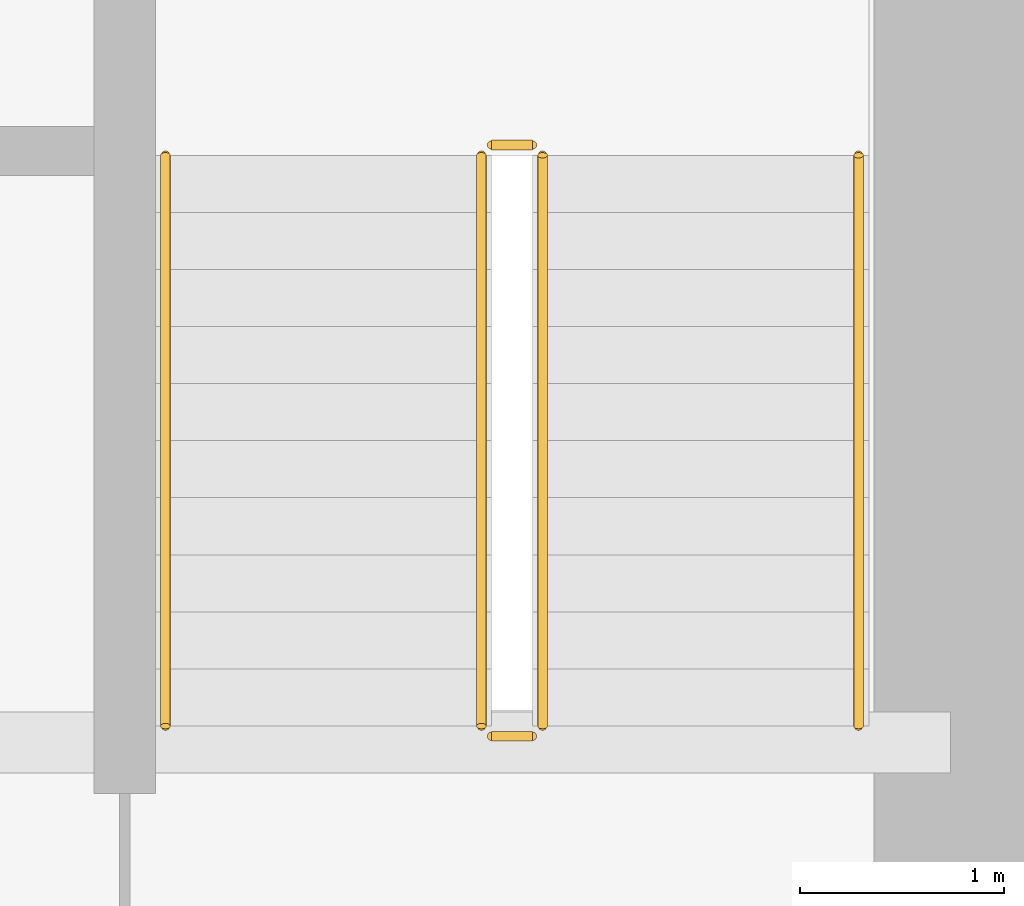
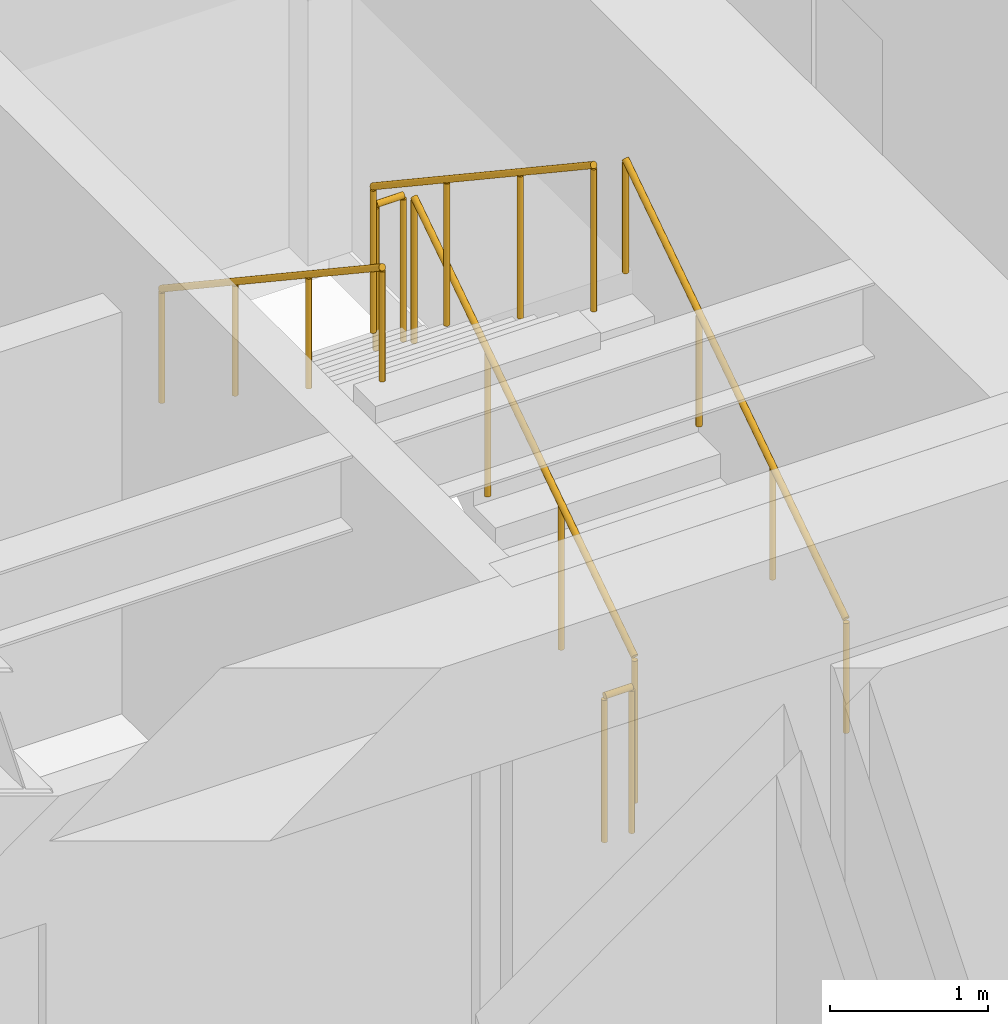
# One storey, part 35 of 35: 6 railings.
"""IFC4 building model written with IfcOpenShell, lengths in metres."""

from ifc_helpers import new_model, si_unit, direction, frame, origin, origin_2d, place, context, subcontext, project, spatial, circle, extrude, source, transform, mapped, material, type_object, type_shapes, element, save


model = new_model("IFC4")

# Units and contexts
model_context = context("Model", 3, precision=1e-05, world=origin(), true_north=direction((0.0, 1.0)))
body_context = subcontext(model_context, "Body", "Model", "MODEL_VIEW")
ifc_project = project(units=[si_unit("LENGTHUNIT", "METRE"), si_unit("AREAUNIT", "SQUARE_METRE"), si_unit("VOLUMEUNIT", "CUBIC_METRE"), si_unit("PLANEANGLEUNIT", "RADIAN"), si_unit("MASSUNIT", "GRAM", prefix="KILO")], contexts=[model_context])

# Site, building, storey
site_placement = place(None, origin())
site = spatial("IfcSite", under=ifc_project, at=site_placement, CompositionType="ELEMENT")
building_placement = place(site_placement, origin())
building = spatial("IfcBuilding", under=site, at=building_placement, Name="Haelvirn Gate Laboratories", CompositionType="ELEMENT")
storey_placement = place(building_placement, frame((0.0, 0.0, 70.300048828125)))
storey = spatial("IfcBuildingStorey", under=building, at=storey_placement, Name="L17", CompositionType="ELEMENT", Elevation=70.300048828125)

# Railings
ifc_material_1 = material(Name="Galvanised steel SM355 & stainless top rail", Category="steel")
railing_type_1 = type_object("IfcRailingType", Name="RL-GUARD-1150", PredefinedType="GUARDRAIL", material=ifc_material_1)
shared_shape_1 = source(origin(), body_context, "Body", "SweptSolid", [
    extrude(circle(Radius=0.02392578125, at=origin_2d()), frame((0.0, 0.0, 1.1259765625), z_axis=(0.0, 0.832452072856, 0.554097055034), x_axis=(-1.0, 0.0, 0.0)), (0.0, 0.0, 1.0), 3.363525390625),
    extrude(circle(Radius=0.02099609375, at=origin_2d()), origin(), (0.0, 0.0, 1.0), 1.101806640625),
    extrude(circle(Radius=0.02099609375, at=origin_2d()), frame((0.0, 0.933349609375, 0.621337890625)), (0.0, 0.0, 1.0), 1.101806640625),
    extrude(circle(Radius=0.02099609375, at=origin_2d()), frame((0.0, 1.86669921875, 1.242431640625)), (0.0, 0.0, 1.0), 1.101806640625),
    extrude(circle(Radius=0.02099609375, at=origin_2d()), frame((0.0, 2.800048828125, 1.86376953125)), (0.0, 0.0, 1.0), 1.101806640625),
])
railing_1_placement = place(storey_placement, frame((65.39990234375, 26.699951171875, 0.186279296875)))
element("IfcRailing", 1, at=railing_1_placement, inside=storey, type_object=railing_type_1, Name="L17 ST2 stair guard 1", PredefinedType="GUARDRAIL", context=body_context, shape_type="MappedRepresentation", body=[
    mapped(shared_shape_1, transform((0.0, 0.0, 0.0), scale=1.0)),
])
shared_shape_2 = source(origin(), body_context, "Body", "SweptSolid", [
    extrude(circle(Radius=0.02392578125, at=origin_2d()), frame((0.0, 0.0, 1.1259765625), z_axis=(0.0, -0.832485552168, 0.554046753832), x_axis=(1.0, 0.0, 0.0)), (0.0, 0.0, 1.0), 3.363525390625),
    extrude(circle(Radius=0.02099609375, at=origin_2d()), origin(), (0.0, 0.0, 1.0), 1.101806640625),
    extrude(circle(Radius=0.02099609375, at=origin_2d()), frame((0.0, -0.933349609375, 0.62109375)), (0.0, 0.0, 1.0), 1.101806640625),
    extrude(circle(Radius=0.02099609375, at=origin_2d()), frame((0.0, -1.86669921875, 1.242431640625)), (0.0, 0.0, 1.0), 1.101806640625),
    extrude(circle(Radius=0.02099609375, at=origin_2d()), frame((0.0, -2.800048828125, 1.863525390625)), (0.0, 0.0, 1.0), 1.101806640625),
])
railing_2_placement = place(storey_placement, frame((65.10009765625, 29.5, 2.236328125)))
element("IfcRailing", 2, at=railing_2_placement, inside=storey, type_object=railing_type_1, Name="L17 ST2 stair guard 3", PredefinedType="GUARDRAIL", context=body_context, shape_type="MappedRepresentation", body=[
    mapped(shared_shape_2, transform((0.0, 0.0, 0.0), scale=1.0)),
])
ifc_material_2 = material(Name="Brushed stainless steel 316L", Category="steel")
railing_type_2 = type_object("IfcRailingType", Name="RL-HAND-920", PredefinedType="HANDRAIL", material=ifc_material_2)
shared_shape_3 = source(origin(), body_context, "Body", "SweptSolid", [
    extrude(circle(Radius=0.02392578125, at=origin_2d()), frame((0.0, 0.0, 0.8759765625), z_axis=(0.0, 0.832452072856, 0.554097055034), x_axis=(-1.0, 0.0, 0.0)), (0.0, 0.0, 1.0), 3.363525390625),
    extrude(circle(Radius=0.02099609375, at=origin_2d()), origin(), (0.0, 0.0, 1.0), 0.851806640625),
    extrude(circle(Radius=0.02099609375, at=origin_2d()), frame((0.0, 0.933349609375, 0.621337890625)), (0.0, 0.0, 1.0), 0.851806640625),
    extrude(circle(Radius=0.02099609375, at=origin_2d()), frame((0.0, 1.86669921875, 1.242431640625)), (0.0, 0.0, 1.0), 0.851806640625),
    extrude(circle(Radius=0.02099609375, at=origin_2d()), frame((0.0, 2.800048828125, 1.86376953125)), (0.0, 0.0, 1.0), 0.851806640625),
])
railing_3_placement = place(storey_placement, frame((66.949951171875, 26.699951171875, 0.186279296875)))
element("IfcRailing", 3, at=railing_3_placement, inside=storey, type_object=railing_type_2, Name="L17 ST2 stair handrail 1", PredefinedType="HANDRAIL", context=body_context, shape_type="MappedRepresentation", body=[
    mapped(shared_shape_3, transform((0.0, 0.0, 0.0), scale=1.0)),
])
shared_shape_4 = source(origin(), body_context, "Body", "SweptSolid", [
    extrude(circle(Radius=0.02392578125, at=origin_2d()), frame((0.0, 0.0, 0.8759765625), z_axis=(0.0, -0.832485552168, 0.554046753832), x_axis=(1.0, 0.0, 0.0)), (0.0, 0.0, 1.0), 3.363525390625),
    extrude(circle(Radius=0.02099609375, at=origin_2d()), origin(), (0.0, 0.0, 1.0), 0.851806640625),
    extrude(circle(Radius=0.02099609375, at=origin_2d()), frame((0.0, -0.933349609375, 0.62109375)), (0.0, 0.0, 1.0), 0.851806640625),
    extrude(circle(Radius=0.02099609375, at=origin_2d()), frame((0.0, -1.86669921875, 1.242431640625)), (0.0, 0.0, 1.0), 0.851806640625),
    extrude(circle(Radius=0.02099609375, at=origin_2d()), frame((0.0, -2.800048828125, 1.863525390625)), (0.0, 0.0, 1.0), 0.851806640625),
])
type_shapes(railing_type_2, [shared_shape_3, shared_shape_4])
railing_4_placement = place(storey_placement, frame((63.550048828125, 29.5, 2.236328125)))
element("IfcRailing", 4, at=railing_4_placement, inside=storey, type_object=railing_type_2, Name="L17 ST2 stair handrail 2", PredefinedType="HANDRAIL", context=body_context, shape_type="MappedRepresentation", body=[
    mapped(shared_shape_4, transform((0.0, 0.0, 0.0), scale=1.0)),
])
shared_shape_5 = source(origin(), body_context, "Body", "SweptSolid", [
    extrude(circle(Radius=0.02392578125, at=origin_2d()), frame((0.0, 0.0, 1.1259765625), z_axis=(-1.0, 0.0, 0.0), x_axis=(0.0, -1.0, 0.0)), (0.0, 0.0, 1.0), 0.2001953125),
    extrude(circle(Radius=0.02099609375, at=origin_2d()), origin(), (0.0, 0.0, 1.0), 1.101806640625),
    extrude(circle(Radius=0.02099609375, at=origin_2d()), frame((-0.2001953125, 0.0, 0.0)), (0.0, 0.0, 1.0), 1.101806640625),
])
type_shapes(railing_type_1, [shared_shape_1, shared_shape_2, shared_shape_5])
for number, where, name in (
    (5, (65.35009765625, 29.550048828125, 2.050048828125), "L17 ST2 stair guard 2"),
    (6, (65.35009765625, 26.64990234375, 0.0), "L17 ST2 stair guard 4"),
):
    element("IfcRailing", number, at=place(storey_placement, frame(where)), inside=storey, type_object=railing_type_1, Name=name, PredefinedType="GUARDRAIL", context=body_context, shape_type="MappedRepresentation", body=[
        mapped(shared_shape_5, transform((0.0, 0.0, 0.0), scale=1.0)),
    ])

save(model, "model.ifc")
